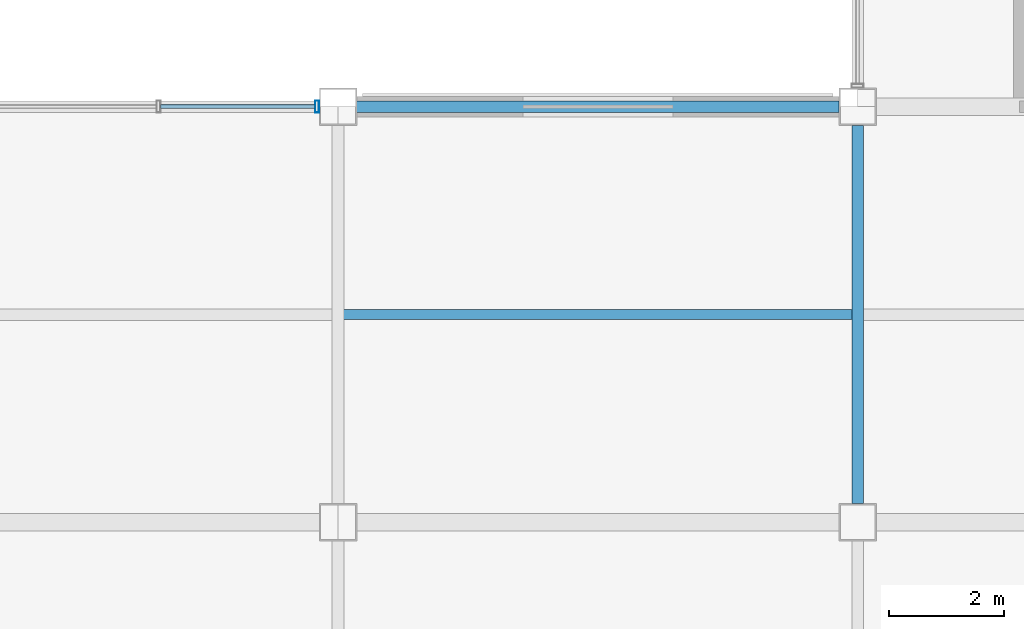
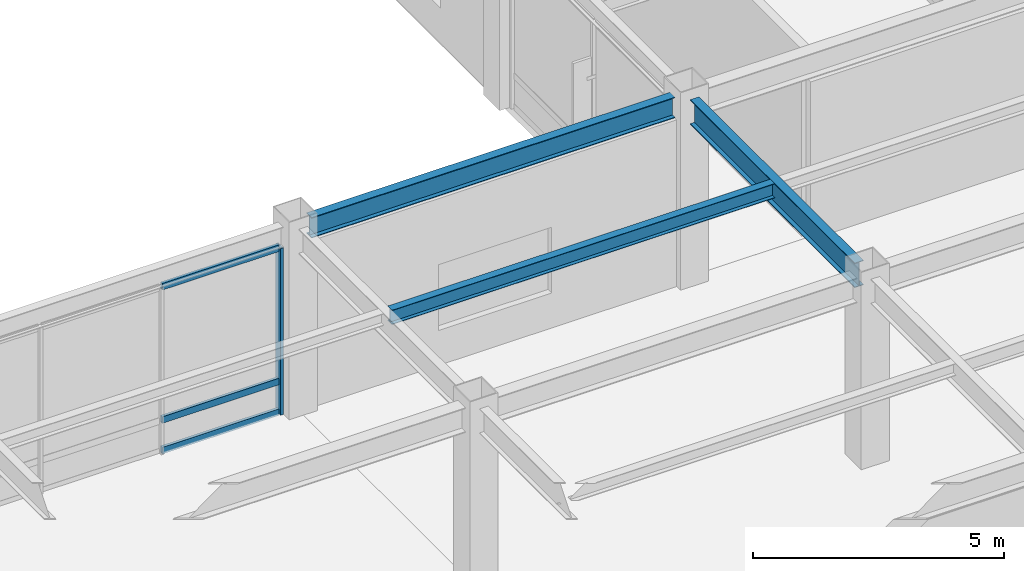
# One storey, part 40 of 112: 4 members, 3 beams, 1 element without a shape of its own.
"""IFC4 building model written with IfcOpenShell, lengths in metres."""

from ifc_helpers import new_model, si_unit, direction, frame, origin, origin_2d, place, context, subcontext, project, spatial, hollow_rectangle, i_section, extrude, material, material_profile, profile_set, type_object, element, aggregate, save


model = new_model("IFC4")

# Units and contexts
model_context = context("Model", 3, precision=1e-05, world=origin(), true_north=direction((0.0, 1.0)))
body_context = subcontext(model_context, "Body", "Model", "MODEL_VIEW")
ifc_project = project(units=[si_unit("LENGTHUNIT", "METRE"), si_unit("AREAUNIT", "SQUARE_METRE"), si_unit("VOLUMEUNIT", "CUBIC_METRE"), si_unit("PLANEANGLEUNIT", "RADIAN"), si_unit("MASSUNIT", "GRAM", prefix="KILO")], contexts=[model_context])

# Site, building, storey
site_placement = place(None, origin())
site = spatial("IfcSite", under=ifc_project, at=site_placement, CompositionType="ELEMENT")
building_placement = place(site_placement, origin())
building = spatial("IfcBuilding", under=site, at=building_placement, Name="Kazanami Central Library", CompositionType="ELEMENT")
storey_placement = place(building_placement, origin())
storey = spatial("IfcBuildingStorey", under=building, at=storey_placement, Name="L01", CompositionType="ELEMENT", Elevation=0.0)

# Beams
ifc_material_1 = material(Name="Steel SN400B (235 MPa)", Category="steel")
ifc_material_profile_1 = material_profile(ifc_material_1, i_section(OverallWidth=0.175048828125, OverallDepth=0.35009765625, WebThickness=0.007080078125, FlangeThickness=0.010986328125, at=origin_2d()), Name="H-350x175x7x11")
ifc_profile_set_1 = profile_set([ifc_material_profile_1], Name="Steel SN400B (235 MPa)")
beam_type_1 = type_object("IfcBeamType", Name="BM-B-S2", PredefinedType="JOIST", material=ifc_profile_set_1)
beam_1_placement = place(storey_placement, frame((90.097900390625, 32.39990234375, 4.3798828125), z_axis=(1.0, 0.0, 0.0), x_axis=(0.0, 1.0, 0.0)))
element("IfcBeam", 1, at=beam_1_placement, inside=storey, type_object=beam_type_1, Name="Composite Secondary Joist B-S2 L01 Bay 11/E.1", PredefinedType="JOIST", context=body_context, shape_type="SweptSolid", body=[
    extrude(i_section(OverallWidth=0.175048828125, OverallDepth=0.35009765625, WebThickness=0.007080078125, FlangeThickness=0.010986328125, at=origin_2d()), origin(), (0.0, 0.0, 1.0), 8.80419921875),
])
ifc_material_2 = material(Name="Steel SN490B (325 MPa)", Category="steel")
ifc_material_profile_2 = material_profile(ifc_material_2, i_section(OverallWidth=0.199951171875, OverallDepth=0.60009765625, WebThickness=0.010986328125, FlangeThickness=0.01708984375, at=origin_2d()), Name="H-600x200x11x17")
ifc_profile_set_2 = profile_set([ifc_material_profile_2], Name="Steel SN490B (325 MPa)")
beam_type_2 = type_object("IfcBeamType", Name="BM-G-Y1", PredefinedType="BEAM", material=ifc_profile_set_2)
beam_2_placement = place(storey_placement, frame((99.0, 29.123046875, 4.2548828125), z_axis=(0.0, 1.0, 0.0), x_axis=(-1.0, 0.0, 0.0)))
element("IfcBeam", 2, at=beam_2_placement, inside=storey, type_object=beam_type_2, Name="Girder G-Y1 L01 12/E-F", PredefinedType="BEAM", context=body_context, shape_type="SweptSolid", body=[
    extrude(i_section(OverallWidth=0.199951171875, OverallDepth=0.60009765625, WebThickness=0.010986328125, FlangeThickness=0.01708984375, at=origin_2d()), origin(), (0.0, 0.0, 1.0), 6.553955078125),
])
ifc_material_profile_3 = material_profile(ifc_material_2, i_section(OverallWidth=0.199951171875, OverallDepth=0.5, WebThickness=0.010009765625, FlangeThickness=0.01611328125, at=origin_2d()), Name="H-500x200x10x16")
ifc_profile_set_3 = profile_set([ifc_material_profile_3], Name="Steel SN490B (325 MPa)")
beam_type_3 = type_object("IfcBeamType", Name="BM-SP-1", PredefinedType="SPANDREL", material=ifc_profile_set_3)
beam_3_placement = place(storey_placement, frame((90.322998046875, 36.0, 4.304931640625), z_axis=(1.0, 0.0, 0.0), x_axis=(0.0, 1.0, 0.0)))
element("IfcBeam", 3, at=beam_3_placement, inside=storey, type_object=beam_type_3, Name="Girder SP-1 L01 F/11-12", PredefinedType="SPANDREL", context=body_context, shape_type="SweptSolid", body=[
    extrude(i_section(OverallWidth=0.199951171875, OverallDepth=0.5, WebThickness=0.010009765625, FlangeThickness=0.01611328125, at=origin_2d()), origin(), (0.0, 0.0, 1.0), 8.35400390625),
])

# Curtain wall, members
ifc_material_3 = material(Name="Acid-Etched Low-E Laminated Glass", Category="glass")
curtain_wall_type = type_object("IfcCurtainWallType", Name="CW-8350x4055-M275", PredefinedType="USERDEFINED", material=ifc_material_3)
curtain_wall_placement = place(storey_placement, origin())
curtain_wall = element("IfcCurtainWall", 4, at=curtain_wall_placement, inside=storey, type_object=curtain_wall_type, Name="Unitised Curtain Wall CW-03 L01 N-F-09", ObjectType="UNITISED CURTAIN WALL", PredefinedType="USERDEFINED")
ifc_material_4 = material(Name="Anodised Aluminium A6063-T5", Category="aluminium")
ifc_material_profile_4 = material_profile(ifc_material_4, hollow_rectangle(XDim=0.070068359375, YDim=0.2099609375, WallThickness=0.0048828125, at=origin_2d()), Name="ALU-MULL-70x210x5")
ifc_profile_set_4 = profile_set([ifc_material_profile_4], Name="Anodised Aluminium A6063-T5")
member_type_1 = type_object("IfcMemberType", Name="MEM-CW-M1", PredefinedType="MULLION", material=ifc_profile_set_4)
member_1_placement = place(storey_placement, frame((89.639892578125, 36.0, 0.0), z_axis=(0.0, 0.0, 1.0), x_axis=(-1.0, 0.0, 0.0)))
member_1 = element("IfcMember", 5, at=member_1_placement, type_object=member_type_1, Name="CW-03 mullion 1", PredefinedType="MULLION", context=body_context, shape_type="SweptSolid", body=[
    extrude(hollow_rectangle(XDim=0.070068359375, YDim=0.2099609375, WallThickness=0.0048828125, at=origin_2d()), origin(), (0.0, 0.0, 1.0), 4.054931640625),
])
ifc_material_profile_5 = material_profile(ifc_material_4, hollow_rectangle(XDim=0.070068359375, YDim=0.159912109375, WallThickness=0.00390625, at=origin_2d()), Name="ALU-TRAN-70x160x4")
ifc_profile_set_5 = profile_set([ifc_material_profile_5], Name="Anodised Aluminium A6063-T5")
member_type_2 = type_object("IfcMemberType", Name="MEM-CW-T1", PredefinedType="USERDEFINED", material=ifc_profile_set_5)
member_2_placement = place(storey_placement, frame((89.60498046875, 36.0, 0.034912109375), z_axis=(-1.0, 0.0, 0.0), x_axis=(0.0, -1.0, 0.0)))
member_2 = element("IfcMember", 6, at=member_2_placement, type_object=member_type_2, Name="CW-03 transom 1.1", ObjectType="TRANSOM", PredefinedType="USERDEFINED", context=body_context, shape_type="SweptSolid", body=[
    extrude(hollow_rectangle(XDim=0.070068359375, YDim=0.159912109375, WallThickness=0.00390625, at=origin_2d()), origin(), (0.0, 0.0, 1.0), 2.67822265625),
])
member_3_placement = place(storey_placement, frame((89.60498046875, 36.0, 0.780029296875), z_axis=(-1.0, 0.0, 0.0), x_axis=(0.0, -1.0, 0.0)))
member_3 = element("IfcMember", 7, at=member_3_placement, type_object=member_type_2, Name="CW-03 transom 1.2", ObjectType="TRANSOM", PredefinedType="USERDEFINED", context=body_context, shape_type="SweptSolid", body=[
    extrude(hollow_rectangle(XDim=0.070068359375, YDim=0.159912109375, WallThickness=0.00390625, at=origin_2d()), origin(), (0.0, 0.0, 1.0), 2.67822265625),
])
member_4_placement = place(storey_placement, frame((89.60498046875, 36.0, 4.02001953125), z_axis=(-1.0, 0.0, 0.0), x_axis=(0.0, -1.0, 0.0)))
member_4 = element("IfcMember", 8, at=member_4_placement, type_object=member_type_2, Name="CW-03 transom 1.3", ObjectType="TRANSOM", PredefinedType="USERDEFINED", context=body_context, shape_type="SweptSolid", body=[
    extrude(hollow_rectangle(XDim=0.070068359375, YDim=0.159912109375, WallThickness=0.00390625, at=origin_2d()), origin(), (0.0, 0.0, 1.0), 2.67822265625),
])
aggregate(curtain_wall, [member_1, member_2, member_3, member_4])

save(model, "model.ifc")
